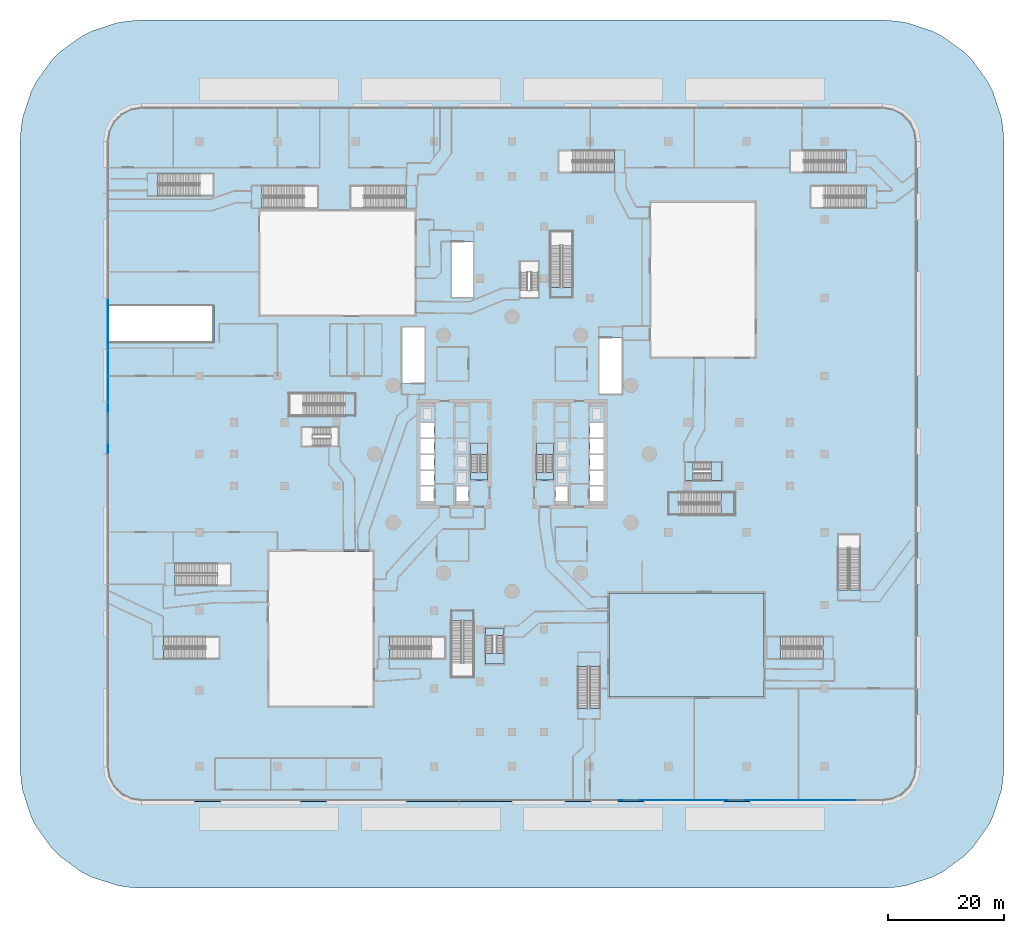
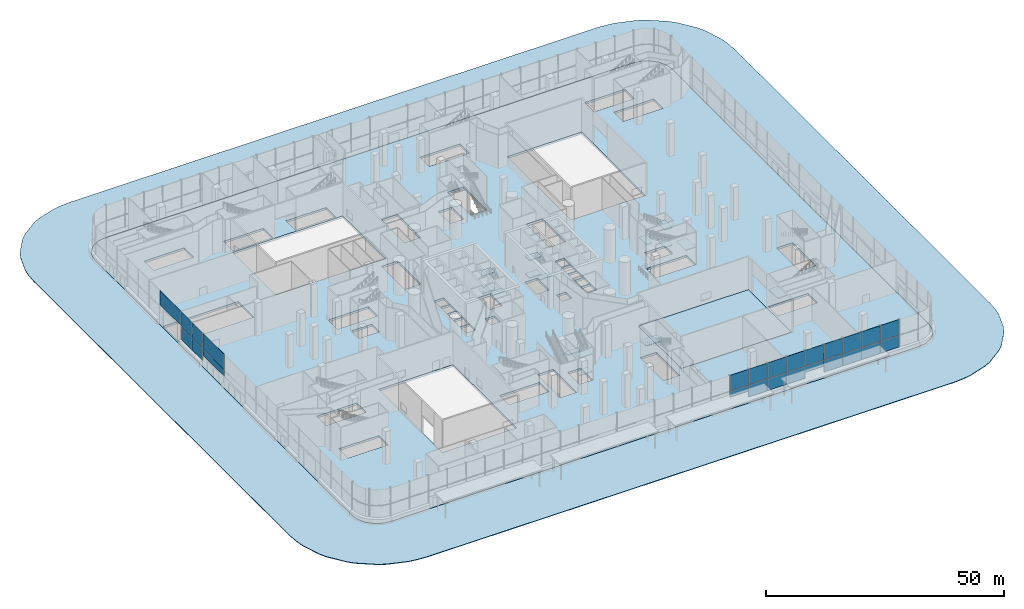
# One storey, part 17 of 54: 25 plates, 18 slabs, 9 elements without a shape of their own.
"""IFC4 building model written with IfcOpenShell, lengths in metres."""

from ifc_helpers import new_model, si_unit, direction, frame, origin, place, context, subcontext, project, spatial, polyline, outline, extrude, material, layer, layer_set, type_object, element, aggregate, save


model = new_model("IFC4")

# Units and contexts
model_context = context("Model", 3, precision=1e-05, world=origin(), true_north=direction((0.0, 1.0)))
body_context = subcontext(model_context, "Body", "Model", "MODEL_VIEW")
ifc_project = project(units=[si_unit("LENGTHUNIT", "METRE"), si_unit("AREAUNIT", "SQUARE_METRE"), si_unit("VOLUMEUNIT", "CUBIC_METRE"), si_unit("PLANEANGLEUNIT", "RADIAN"), si_unit("MASSUNIT", "GRAM", prefix="KILO")], contexts=[model_context])

# Site, building, storey
site_placement = place(None, origin())
site = spatial("IfcSite", under=ifc_project, at=site_placement, CompositionType="ELEMENT")
building_placement = place(site_placement, origin())
building = spatial("IfcBuilding", under=site, at=building_placement, Name="Tamarind Cross Interchange Tower", CompositionType="ELEMENT")
storey_placement = place(building_placement, origin())
storey = spatial("IfcBuildingStorey", under=building, at=storey_placement, Name="L00", CompositionType="ELEMENT", Elevation=0.0)

# Slabs
ifc_material_1 = material(Name="Granite paving on concrete C30", Category="masonry")
ifc_layer_1 = layer(ifc_material_1, 0.14990234375)
ifc_layer_set_1 = layer_set([ifc_layer_1], Name="Granite paving on concrete C30")
slab_type_1 = type_object("IfcSlabType", Name="Plaza paving", PredefinedType="USERDEFINED", material=ifc_layer_set_1)
slab_1_placement = place(storey_placement, frame((0.0, 0.0, -0.14990234375)))
element("IfcSlab", 1, at=slab_1_placement, inside=storey, type_object=slab_type_1, Name="SLB-L00-PAV00", ObjectType="PAVING", PredefinedType="USERDEFINED", context=body_context, shape_type="SweptSolid", body=[
    extrude(outline(polyline([(66.346435546875, -74.8154296875), (64.0, -75.0), (-64.0, -75.0), (-66.346435546875, -74.8154296875), (-68.20068359375, -74.521728515625), (-72.6640625, -73.071533203125), (-74.336669921875, -72.21923828125), (-78.13330078125, -69.460693359375), (-79.460693359375, -68.13330078125), (-82.21923828125, -64.336669921875), (-83.071533203125, -62.6640625), (-84.521728515625, -58.20068359375), (-84.8154296875, -56.346435546875), (-85.0, -54.0), (-85.0, 54.0), (-84.8154296875, 56.346435546875), (-84.521728515625, 58.20068359375), (-83.071533203125, 62.6640625), (-82.21923828125, 64.336669921875), (-79.460693359375, 68.13330078125), (-78.13330078125, 69.460693359375), (-74.336669921875, 72.21923828125), (-72.6640625, 73.071533203125), (-68.20068359375, 74.521728515625), (-66.346435546875, 74.8154296875), (-64.0, 75.0), (64.0, 75.0), (66.346435546875, 74.8154296875), (68.20068359375, 74.521728515625), (72.6640625, 73.071533203125), (74.336669921875, 72.21923828125), (78.13330078125, 69.460693359375), (79.460693359375, 68.13330078125), (82.21923828125, 64.336669921875), (83.071533203125, 62.6640625), (84.521728515625, 58.20068359375), (84.8154296875, 56.346435546875), (85.0, 54.0), (85.0, -54.0), (84.8154296875, -56.346435546875), (84.521728515625, -58.20068359375), (83.071533203125, -62.6640625), (82.21923828125, -64.336669921875), (79.460693359375, -68.13330078125), (78.13330078125, -69.460693359375), (74.336669921875, -72.21923828125), (72.6640625, -73.071533203125), (68.20068359375, -74.521728515625), (66.346435546875, -74.8154296875)]), holes=[polyline([(64.0, -60.0), (-64.0, -60.0), (-65.85400390625, -59.706298828125), (-67.526611328125, -58.85400390625), (-68.85400390625, -57.526611328125), (-69.706298828125, -55.85400390625), (-70.0, -54.0), (-70.0, 54.0), (-69.706298828125, 55.85400390625), (-68.85400390625, 57.526611328125), (-67.526611328125, 58.85400390625), (-65.85400390625, 59.706298828125), (-64.0, 60.0), (64.0, 60.0), (65.85400390625, 59.706298828125), (67.526611328125, 58.85400390625), (68.85400390625, 57.526611328125), (69.706298828125, 55.85400390625), (70.0, 54.0), (70.0, -54.0), (69.706298828125, -55.85400390625), (68.85400390625, -57.526611328125), (67.526611328125, -58.85400390625), (65.85400390625, -59.706298828125), (64.0, -60.0)])]), origin(), (0.0, 0.0, 1.0), 0.14990234375),
])
ifc_material_2 = material(Name="Concrete C40", Category="concrete")
ifc_layer_2 = layer(ifc_material_2, 0.550048828125)
ifc_layer_set_2 = layer_set([ifc_layer_2], Name="Concrete C40")
slab_type_2 = type_object("IfcSlabType", Name="Post-tensioned flat slab 550 Concrete C40", PredefinedType="FLOOR", material=ifc_layer_set_2)
slab_2_placement = place(storey_placement, frame((0.0, 0.0, -0.550048828125)))
element("IfcSlab", 2, at=slab_2_placement, inside=storey, type_object=slab_type_2, Name="Floor slab L00", PredefinedType="FLOOR", context=body_context, shape_type="SweptSolid", body=[
    extrude(outline(polyline([(-67.526611328125, -58.85400390625), (-65.85400390625, -59.706298828125), (-64.0, -60.0), (64.0, -60.0), (65.85400390625, -59.706298828125), (67.526611328125, -58.85400390625), (68.85400390625, -57.526611328125), (69.706298828125, -55.85400390625), (70.0, -54.0), (70.0, 54.0), (69.706298828125, 55.85400390625), (68.85400390625, 57.526611328125), (67.526611328125, 58.85400390625), (65.85400390625, 59.706298828125), (64.0, 60.0), (-64.0, 60.0), (-65.85400390625, 59.706298828125), (-67.526611328125, 58.85400390625), (-68.85400390625, 57.526611328125), (-69.706298828125, 55.85400390625), (-70.0, 54.0), (-70.0, -54.0), (-69.706298828125, -55.85400390625), (-68.85400390625, -57.526611328125), (-67.526611328125, -58.85400390625)]), holes=[polyline([(-6.60009765625, -38.5), (-10.5, -38.5), (-10.5, -28.81201171875), (-6.60009765625, -28.81201171875), (-6.60009765625, -38.5)]), polyline([(-50.5, -31.5), (-50.5, -35.39990234375), (-60.18798828125, -35.39990234375), (-60.18798828125, -31.5), (-50.5, -31.5)]), polyline([(-11.5, -31.5), (-11.5, -35.39990234375), (-21.18798828125, -35.39990234375), (-21.18798828125, -31.5), (-11.5, -31.5)]), polyline([(-48.5, -18.85009765625), (-48.5, -22.75), (-58.18798828125, -22.75), (-58.18798828125, -18.85009765625), (-48.5, -18.85009765625)]), polyline([(-7.5, -5.625), (-7.5, -8.125), (-9.800048828125, -8.125), (-9.800048828125, -5.625), (-7.5, -5.625)]), polyline([(-13.5, -5.625), (-13.5, -8.125), (-15.800048828125, -8.125), (-15.800048828125, -5.625), (-13.5, -5.625)]), polyline([(-13.5, -2.875), (-13.5, -5.375), (-15.800048828125, -5.375), (-15.800048828125, -2.875), (-13.5, -2.875)]), polyline([(-13.5, -2.625), (-15.800048828125, -2.625), (-15.800048828125, -0.125), (-13.5, -0.125), (-13.5, -2.625)]), polyline([(-4.199951171875, 1.800048828125), (-4.199951171875, -3.18798828125), (-7.14990234375, -3.18798828125), (-7.14990234375, 1.800048828125), (-4.199951171875, 1.800048828125)]), polyline([(-13.5, 2.625), (-13.5, 0.125), (-15.800048828125, 0.125), (-15.800048828125, 2.625), (-13.5, 2.625)]), polyline([(-31.31201171875, 4.60009765625), (-31.31201171875, 1.39990234375), (-36.300048828125, 1.39990234375), (-36.300048828125, 4.60009765625), (-31.31201171875, 4.60009765625)]), polyline([(-13.5, 5.375), (-13.5, 2.875), (-15.800048828125, 2.875), (-15.800048828125, 5.375), (-13.5, 5.375)]), polyline([(-38.5, 10.5), (-28.81201171875, 10.5), (-28.81201171875, 6.60009765625), (-38.5, 6.60009765625), (-38.5, 10.5)]), polyline([(-15.10009765625, 21.89990234375), (-15.10009765625, 12.2119140625), (-19.0, 12.2119140625), (-19.0, 21.89990234375), (-15.10009765625, 21.89990234375)]), polyline([(-69.699951171875, 25.800048828125), (-51.5, 25.800048828125), (-51.5, 19.199951171875), (-69.699951171875, 19.199951171875), (-69.699951171875, 25.800048828125)]), polyline([(-6.60009765625, 27.0), (-10.5, 27.0), (-10.5, 36.68798828125), (-6.60009765625, 36.68798828125), (-6.60009765625, 27.0)]), polyline([(-28.0, 42.5), (-28.0, 46.39990234375), (-18.31201171875, 46.39990234375), (-18.31201171875, 42.5), (-28.0, 42.5)]), polyline([(-33.5, 42.5), (-43.18798828125, 42.5), (-43.18798828125, 46.39990234375), (-33.5, 46.39990234375), (-33.5, 42.5)]), polyline([(-51.5, 44.60009765625), (-61.18798828125, 44.60009765625), (-61.18798828125, 48.5), (-51.5, 48.5), (-51.5, 44.60009765625)]), polyline([(11.35009765625, -34.25), (15.25, -34.25), (15.25, -43.93798828125), (11.35009765625, -43.93798828125), (11.35009765625, -34.25)]), polyline([(-4.60009765625, -31.31201171875), (-1.39990234375, -31.31201171875), (-1.39990234375, -36.300048828125), (-4.60009765625, -36.300048828125), (-4.60009765625, -31.31201171875)]), polyline([(44.0, -35.39990234375), (44.0, -31.5), (53.68798828125, -31.5), (53.68798828125, -35.39990234375), (44.0, -35.39990234375)]), polyline([(56.25, -13.800048828125), (60.14990234375, -13.800048828125), (60.14990234375, -23.488037109375), (56.25, -23.488037109375), (56.25, -13.800048828125)]), polyline([(38.5, -6.60009765625), (38.5, -10.5), (28.81201171875, -10.5), (28.81201171875, -6.60009765625), (38.5, -6.60009765625)]), polyline([(7.5, -8.125), (7.5, -5.625), (9.800048828125, -5.625), (9.800048828125, -8.125), (7.5, -8.125)]), polyline([(13.5, -8.125), (13.5, -5.625), (15.800048828125, -5.625), (15.800048828125, -8.125), (13.5, -8.125)]), polyline([(13.5, -2.875), (15.800048828125, -2.875), (15.800048828125, -5.375), (13.5, -5.375), (13.5, -2.875)]), polyline([(31.31201171875, -1.39990234375), (36.300048828125, -1.39990234375), (36.300048828125, -4.60009765625), (31.31201171875, -4.60009765625), (31.31201171875, -1.39990234375)]), polyline([(13.5, -2.625), (13.5, -0.125), (15.800048828125, -0.125), (15.800048828125, -2.625), (13.5, -2.625)]), polyline([(4.199951171875, 1.800048828125), (7.14990234375, 1.800048828125), (7.14990234375, -3.18798828125), (4.199951171875, -3.18798828125), (4.199951171875, 1.800048828125)]), polyline([(13.5, 0.125), (13.5, 2.625), (15.800048828125, 2.625), (15.800048828125, 0.125), (13.5, 0.125)]), polyline([(13.5, 5.375), (15.800048828125, 5.375), (15.800048828125, 2.875), (13.5, 2.875), (13.5, 5.375)]), polyline([(15.10009765625, 10.39990234375), (15.10009765625, 20.087890625), (19.0, 20.087890625), (19.0, 10.39990234375), (15.10009765625, 10.39990234375)]), polyline([(4.60009765625, 28.31201171875), (1.39990234375, 28.31201171875), (1.39990234375, 33.300048828125), (4.60009765625, 33.300048828125), (4.60009765625, 28.31201171875)]), polyline([(6.60009765625, 38.5), (10.5, 38.5), (10.5, 28.81201171875), (6.60009765625, 28.81201171875), (6.60009765625, 38.5)]), polyline([(51.5, 42.5), (51.5, 46.39990234375), (61.18798828125, 46.39990234375), (61.18798828125, 42.5), (51.5, 42.5)]), polyline([(8.0, 52.5), (17.68798828125, 52.5), (17.68798828125, 48.60009765625), (8.0, 48.60009765625), (8.0, 52.5)]), polyline([(48.0, 52.5), (57.68798828125, 52.5), (57.68798828125, 48.60009765625), (48.0, 48.60009765625), (48.0, 52.5)]), polyline([(16.800048828125, -42.0), (16.800048828125, -24.0), (43.5, -24.0), (43.5, -42.0), (16.800048828125, -42.0)]), polyline([(-42.0, -43.5), (-42.0, -16.800048828125), (-24.0, -16.800048828125), (-24.0, -43.5), (-42.0, -43.5)]), polyline([(24.0, 16.800048828125), (24.0, 43.5), (42.0, 43.5), (42.0, 16.800048828125), (24.0, 16.800048828125)]), polyline([(-43.5, 24.0), (-43.5, 42.0), (-16.800048828125, 42.0), (-16.800048828125, 24.0), (-43.5, 24.0)])]), origin(), (0.0, 0.0, 1.0), 0.550048828125),
])
slab_3_placement = place(storey_placement, frame((0.0, 0.0, -0.550048828125)))
element("IfcSlab", 3, at=slab_3_placement, inside=storey, type_object=slab_type_2, Name="Fire court SE floor slab", PredefinedType="FLOOR", context=body_context, shape_type="SweptSolid", body=[
    extrude(outline(polyline([(16.800048828125, -42.0), (43.5, -42.0), (43.5, -24.0), (16.800048828125, -24.0), (16.800048828125, -42.0)])), origin(), (0.0, 0.0, 1.0), 0.550048828125),
])

# Stair, slab
ifc_material_3 = material(Name="Public stair")
stair_type_1 = type_object("IfcStairType", Name="Public stair", PredefinedType="HALF_TURN_STAIR", material=ifc_material_3)
stair_1_placement = place(storey_placement, origin())
stair_1 = element("IfcStair", 4, at=stair_1_placement, inside=storey, type_object=stair_type_1, Name="L00 public stair PS-E", PredefinedType="HALF_TURN_STAIR")
ifc_layer_3 = layer(ifc_material_2, 0.199951171875)
ifc_layer_set_3 = layer_set([ifc_layer_3], Name="Concrete C40")
slab_type_3 = type_object("IfcSlabType", Name="Public stair landing", PredefinedType="LANDING", material=ifc_layer_set_3)
slab_4_placement = place(storey_placement, frame((0.0, 0.0, 4.300048828125)))
slab_4 = element("IfcSlab", 5, at=slab_4_placement, type_object=slab_type_3, Name="PS-E landing 1", PredefinedType="LANDING", context=body_context, shape_type="SweptSolid", body=[
    extrude(outline(polyline([(36.080078125, -10.5), (38.5, -10.5), (38.5, -6.60009765625), (36.080078125, -6.60009765625), (36.080078125, -10.5)])), origin(), (0.0, 0.0, 1.0), 0.199951171875),
])
aggregate(stair_1, [slab_4])

stair_2_placement = place(storey_placement, origin())
stair_2 = element("IfcStair", 6, at=stair_2_placement, inside=storey, type_object=stair_type_1, Name="L00 exit stair XS-P10", PredefinedType="HALF_TURN_STAIR")
slab_5_placement = place(storey_placement, frame((0.0, 0.0, 4.300048828125)))
slab_5 = element("IfcSlab", 7, at=slab_5_placement, type_object=slab_type_3, Name="XS-P10 landing 1", PredefinedType="LANDING", context=body_context, shape_type="SweptSolid", body=[
    extrude(outline(polyline([(46.419921875, -31.5), (44.0, -31.5), (44.0, -35.39990234375), (46.419921875, -35.39990234375), (46.419921875, -31.5)])), origin(), (0.0, 0.0, 1.0), 0.199951171875),
])
aggregate(stair_2, [slab_5])

stair_3_placement = place(storey_placement, origin())
stair_3 = element("IfcStair", 8, at=stair_3_placement, inside=storey, type_object=stair_type_1, Name="L00 exit stair XS-P12", PredefinedType="HALF_TURN_STAIR")
slab_6_placement = place(storey_placement, frame((0.0, 0.0, 4.300048828125)))
slab_6 = element("IfcSlab", 9, at=slab_6_placement, type_object=slab_type_3, Name="XS-P12 landing 1", PredefinedType="LANDING", context=body_context, shape_type="SweptSolid", body=[
    extrude(outline(polyline([(15.25, -36.669921875), (15.25, -34.25), (11.35009765625, -34.25), (11.35009765625, -36.669921875), (15.25, -36.669921875)])), origin(), (0.0, 0.0, 1.0), 0.199951171875),
])
aggregate(stair_3, [slab_6])

# Stair, slabs
ifc_material_4 = material(Name="Exit stair")
stair_type_2 = type_object("IfcStairType", Name="Exit stair", PredefinedType="HALF_TURN_STAIR", material=ifc_material_4)
stair_4_placement = place(storey_placement, origin())
stair_4 = element("IfcStair", 10, at=stair_4_placement, inside=storey, type_object=stair_type_2, Name="L00 exit stair ST1", PredefinedType="HALF_TURN_STAIR")
ifc_layer_4 = layer(ifc_material_2, 0.199951171875)
ifc_layer_set_4 = layer_set([ifc_layer_4], Name="Concrete C40")
slab_type_4 = type_object("IfcSlabType", Name="Stair landing", PredefinedType="LANDING", material=ifc_layer_set_4)
slab_7_placement = place(storey_placement, frame((0.0, 0.0, 2.050048828125)))
slab_7 = element("IfcSlab", 11, at=slab_7_placement, type_object=slab_type_4, Name="ST1 landing 1", PredefinedType="LANDING", context=body_context, shape_type="SweptSolid", body=[
    extrude(outline(polyline([(-4.199951171875, -0.080078125), (-4.199951171875, 1.800048828125), (-7.14990234375, 1.800048828125), (-7.14990234375, -0.080078125), (-4.199951171875, -0.080078125)])), origin(), (0.0, 0.0, 1.0), 0.199951171875),
])
slab_8_placement = place(storey_placement, frame((0.0, 0.0, 4.300048828125)))
slab_8 = element("IfcSlab", 12, at=slab_8_placement, type_object=slab_type_4, Name="ST1 landing 2", PredefinedType="LANDING", context=body_context, shape_type="SweptSolid", body=[
    extrude(outline(polyline([(-4.199951171875, -4.5), (-4.199951171875, -3.199951171875), (-7.14990234375, -3.199951171875), (-7.14990234375, -4.5), (-4.199951171875, -4.5)])), origin(), (0.0, 0.0, 1.0), 0.199951171875),
])
slab_9_placement = place(storey_placement, frame((0.0, 0.0, 6.550048828125)))
slab_9 = element("IfcSlab", 13, at=slab_9_placement, type_object=slab_type_4, Name="ST1 landing 3", PredefinedType="LANDING", context=body_context, shape_type="SweptSolid", body=[
    extrude(outline(polyline([(-4.199951171875, -0.080078125), (-4.199951171875, 1.800048828125), (-7.14990234375, 1.800048828125), (-7.14990234375, -0.080078125), (-4.199951171875, -0.080078125)])), origin(), (0.0, 0.0, 1.0), 0.199951171875),
])
aggregate(stair_4, [slab_7, slab_8, slab_9])

stair_5_placement = place(storey_placement, origin())
stair_5 = element("IfcStair", 14, at=stair_5_placement, inside=storey, type_object=stair_type_2, Name="L00 exit stair ST2", PredefinedType="HALF_TURN_STAIR")
slab_10_placement = place(storey_placement, frame((0.0, 0.0, 2.050048828125)))
slab_10 = element("IfcSlab", 15, at=slab_10_placement, type_object=slab_type_4, Name="ST2 landing 1", PredefinedType="LANDING", context=body_context, shape_type="SweptSolid", body=[
    extrude(outline(polyline([(7.14990234375, -0.080078125), (7.14990234375, 1.800048828125), (4.199951171875, 1.800048828125), (4.199951171875, -0.080078125), (7.14990234375, -0.080078125)])), origin(), (0.0, 0.0, 1.0), 0.199951171875),
])
slab_11_placement = place(storey_placement, frame((0.0, 0.0, 4.300048828125)))
slab_11 = element("IfcSlab", 16, at=slab_11_placement, type_object=slab_type_4, Name="ST2 landing 2", PredefinedType="LANDING", context=body_context, shape_type="SweptSolid", body=[
    extrude(outline(polyline([(7.14990234375, -4.5), (7.14990234375, -3.199951171875), (4.199951171875, -3.199951171875), (4.199951171875, -4.5), (7.14990234375, -4.5)])), origin(), (0.0, 0.0, 1.0), 0.199951171875),
])
slab_12_placement = place(storey_placement, frame((0.0, 0.0, 6.550048828125)))
slab_12 = element("IfcSlab", 17, at=slab_12_placement, type_object=slab_type_4, Name="ST2 landing 3", PredefinedType="LANDING", context=body_context, shape_type="SweptSolid", body=[
    extrude(outline(polyline([(7.14990234375, -0.080078125), (7.14990234375, 1.800048828125), (4.199951171875, 1.800048828125), (4.199951171875, -0.080078125), (7.14990234375, -0.080078125)])), origin(), (0.0, 0.0, 1.0), 0.199951171875),
])
aggregate(stair_5, [slab_10, slab_11, slab_12])

stair_6_placement = place(storey_placement, origin())
stair_6 = element("IfcStair", 18, at=stair_6_placement, inside=storey, type_object=stair_type_2, Name="L00 exit stair ST3", PredefinedType="HALF_TURN_STAIR")
slab_13_placement = place(storey_placement, frame((0.0, 0.0, 2.050048828125)))
slab_13 = element("IfcSlab", 19, at=slab_13_placement, type_object=slab_type_4, Name="ST3 landing 1", PredefinedType="LANDING", context=body_context, shape_type="SweptSolid", body=[
    extrude(outline(polyline([(34.407958984375, -4.60009765625), (36.300048828125, -4.60009765625), (36.300048828125, -1.39990234375), (34.407958984375, -1.39990234375), (34.407958984375, -4.60009765625)])), origin(), (0.0, 0.0, 1.0), 0.199951171875),
])
slab_14_placement = place(storey_placement, frame((0.0, 0.0, 4.300048828125)))
slab_14 = element("IfcSlab", 20, at=slab_14_placement, type_object=slab_type_4, Name="ST3 landing 2", PredefinedType="LANDING", context=body_context, shape_type="SweptSolid", body=[
    extrude(outline(polyline([(30.0, -4.60009765625), (31.31201171875, -4.60009765625), (31.31201171875, -1.39990234375), (30.0, -1.39990234375), (30.0, -4.60009765625)])), origin(), (0.0, 0.0, 1.0), 0.199951171875),
])
slab_15_placement = place(storey_placement, frame((0.0, 0.0, 6.550048828125)))
slab_15 = element("IfcSlab", 21, at=slab_15_placement, type_object=slab_type_4, Name="ST3 landing 3", PredefinedType="LANDING", context=body_context, shape_type="SweptSolid", body=[
    extrude(outline(polyline([(34.407958984375, -4.60009765625), (36.300048828125, -4.60009765625), (36.300048828125, -1.39990234375), (34.407958984375, -1.39990234375), (34.407958984375, -4.60009765625)])), origin(), (0.0, 0.0, 1.0), 0.199951171875),
])
aggregate(stair_6, [slab_13, slab_14, slab_15])

stair_7_placement = place(storey_placement, origin())
stair_7 = element("IfcStair", 22, at=stair_7_placement, inside=storey, type_object=stair_type_2, Name="L00 exit stair ST6", PredefinedType="HALF_TURN_STAIR")
slab_16_placement = place(storey_placement, frame((0.0, 0.0, 2.050048828125)))
slab_16 = element("IfcSlab", 23, at=slab_16_placement, type_object=slab_type_4, Name="ST6 landing 1", PredefinedType="LANDING", context=body_context, shape_type="SweptSolid", body=[
    extrude(outline(polyline([(-4.60009765625, -34.407958984375), (-4.60009765625, -36.300048828125), (-1.39990234375, -36.300048828125), (-1.39990234375, -34.407958984375), (-4.60009765625, -34.407958984375)])), origin(), (0.0, 0.0, 1.0), 0.199951171875),
])
slab_17_placement = place(storey_placement, frame((0.0, 0.0, 4.300048828125)))
slab_17 = element("IfcSlab", 24, at=slab_17_placement, type_object=slab_type_4, Name="ST6 landing 2", PredefinedType="LANDING", context=body_context, shape_type="SweptSolid", body=[
    extrude(outline(polyline([(-4.60009765625, -30.0), (-4.60009765625, -31.31201171875), (-1.39990234375, -31.31201171875), (-1.39990234375, -30.0), (-4.60009765625, -30.0)])), origin(), (0.0, 0.0, 1.0), 0.199951171875),
])
slab_18_placement = place(storey_placement, frame((0.0, 0.0, 6.550048828125)))
slab_18 = element("IfcSlab", 25, at=slab_18_placement, type_object=slab_type_4, Name="ST6 landing 3", PredefinedType="LANDING", context=body_context, shape_type="SweptSolid", body=[
    extrude(outline(polyline([(-4.60009765625, -34.407958984375), (-4.60009765625, -36.300048828125), (-1.39990234375, -36.300048828125), (-1.39990234375, -34.407958984375), (-4.60009765625, -34.407958984375)])), origin(), (0.0, 0.0, 1.0), 0.199951171875),
])
aggregate(stair_7, [slab_16, slab_17, slab_18])

# Curtain wall, plates
ifc_material_5 = material(Name="Aluminium 6063-T6", Category="aluminium")
ifc_layer_5 = layer(ifc_material_5, 0.199951171875)
ifc_layer_set_5 = layer_set([ifc_layer_5], Name="Aluminium 6063-T6")
curtain_wall_type = type_object("IfcCurtainWallType", Name="Podium shopfront and station curtain wall", PredefinedType="NOTDEFINED", material=ifc_layer_set_5)
curtain_wall_1_placement = place(storey_placement, origin())
curtain_wall_1 = element("IfcCurtainWall", 26, at=curtain_wall_1_placement, inside=storey, type_object=curtain_wall_type, Name="CWS-L00-04", PredefinedType="NOTDEFINED")
ifc_material_6 = material(Name="Toughened low-e glass 10+12+10", Category="glass")
ifc_layer_6 = layer(ifc_material_6, 0.031982421875)
ifc_layer_set_6 = layer_set([ifc_layer_6], Name="Toughened low-e glass 10+12+10")
plate_type = type_object("IfcPlateType", Name="Vision panel CW3", PredefinedType="CURTAIN_PANEL", material=ifc_layer_set_6)
plate_1_placement = place(storey_placement, frame((0.0, 0.0, 4.89990234375)))
plate_1 = element("IfcPlate", 27, at=plate_1_placement, type_object=plate_type, Name="CWP-L00-04-06", PredefinedType="CURTAIN_PANEL", context=body_context, shape_type="SweptSolid", body=[
    extrude(outline(polyline([(-69.783935546875, 26.9521484375), (-69.783935546875, 18.03466796875), (-69.81591796875, 18.03466796875), (-69.81591796875, 26.9521484375), (-69.783935546875, 26.9521484375)])), origin(), (0.0, 0.0, 1.0), 3.60009765625),
])
plate_2_placement = place(storey_placement, frame((0.0, 0.0, 1.39990234375)))
plate_2 = element("IfcPlate", 28, at=plate_2_placement, type_object=plate_type, Name="CWP-L00-04-08-0", PredefinedType="CURTAIN_PANEL", context=body_context, shape_type="SweptSolid", body=[
    extrude(outline(polyline([(-69.783935546875, 17.954833984375), (-69.783935546875, 13.5361328125), (-69.81591796875, 13.5361328125), (-69.81591796875, 17.954833984375), (-69.783935546875, 17.954833984375)])), origin(), (0.0, 0.0, 1.0), 3.070068359375),
])
plate_3_placement = place(storey_placement, frame((0.0, 0.0, 4.530029296875)))
plate_3 = element("IfcPlate", 29, at=plate_3_placement, type_object=plate_type, Name="CWP-L00-04-08-1", PredefinedType="CURTAIN_PANEL", context=body_context, shape_type="SweptSolid", body=[
    extrude(outline(polyline([(-69.783935546875, 17.954833984375), (-69.783935546875, 13.5361328125), (-69.81591796875, 13.5361328125), (-69.81591796875, 17.954833984375), (-69.783935546875, 17.954833984375)])), origin(), (0.0, 0.0, 1.0), 3.969970703125),
])
plate_4_placement = place(storey_placement, frame((0.0, 0.0, 1.39990234375)))
plate_4 = element("IfcPlate", 30, at=plate_4_placement, type_object=plate_type, Name="CWP-L00-04-09-0", PredefinedType="CURTAIN_PANEL", context=body_context, shape_type="SweptSolid", body=[
    extrude(outline(polyline([(-69.783935546875, 13.4560546875), (-69.783935546875, 9.037353515625), (-69.81591796875, 9.037353515625), (-69.81591796875, 13.4560546875), (-69.783935546875, 13.4560546875)])), origin(), (0.0, 0.0, 1.0), 3.070068359375),
])
plate_5_placement = place(storey_placement, frame((0.0, 0.0, 4.530029296875)))
plate_5 = element("IfcPlate", 31, at=plate_5_placement, type_object=plate_type, Name="CWP-L00-04-09-1", PredefinedType="CURTAIN_PANEL", context=body_context, shape_type="SweptSolid", body=[
    extrude(outline(polyline([(-69.783935546875, 13.4560546875), (-69.783935546875, 9.037353515625), (-69.81591796875, 9.037353515625), (-69.81591796875, 13.4560546875), (-69.783935546875, 13.4560546875)])), origin(), (0.0, 0.0, 1.0), 3.969970703125),
])
plate_6_placement = place(storey_placement, frame((0.0, 0.0, 2.89990234375)))
plate_6 = element("IfcPlate", 32, at=plate_6_placement, type_object=plate_type, Name="CWP-L00-04-10-0", PredefinedType="CURTAIN_PANEL", context=body_context, shape_type="SweptSolid", body=[
    extrude(outline(polyline([(-69.783935546875, 8.957275390625), (-69.783935546875, 0.0400390625), (-69.81591796875, 0.0400390625), (-69.81591796875, 8.957275390625), (-69.783935546875, 8.957275390625)])), origin(), (0.0, 0.0, 1.0), 1.570068359375),
])
plate_7_placement = place(storey_placement, frame((0.0, 0.0, 4.530029296875)))
plate_7 = element("IfcPlate", 33, at=plate_7_placement, type_object=plate_type, Name="CWP-L00-04-10-1", PredefinedType="CURTAIN_PANEL", context=body_context, shape_type="SweptSolid", body=[
    extrude(outline(polyline([(-69.783935546875, 8.957275390625), (-69.783935546875, 0.0400390625), (-69.81591796875, 0.0400390625), (-69.81591796875, 8.957275390625), (-69.783935546875, 8.957275390625)])), origin(), (0.0, 0.0, 1.0), 3.969970703125),
])
aggregate(curtain_wall_1, [plate_1, plate_2, plate_3, plate_4, plate_5, plate_6, plate_7])

curtain_wall_2_placement = place(storey_placement, origin())
curtain_wall_2 = element("IfcCurtainWall", 34, at=curtain_wall_2_placement, inside=storey, type_object=curtain_wall_type, Name="CWS-L00-06", PredefinedType="NOTDEFINED")
plate_8_placement = place(storey_placement, frame((0.0, 0.0, 2.89990234375)))
plate_8 = element("IfcPlate", 35, at=plate_8_placement, type_object=plate_type, Name="CWP-L00-06-18-0", PredefinedType="CURTAIN_PANEL", context=body_context, shape_type="SweptSolid", body=[
    extrude(outline(polyline([(18.3212890625, -59.783935546875), (22.8115234375, -59.783935546875), (22.8115234375, -59.81591796875), (18.3212890625, -59.81591796875), (18.3212890625, -59.783935546875)])), origin(), (0.0, 0.0, 1.0), 1.570068359375),
])
plate_9_placement = place(storey_placement, frame((0.0, 0.0, 4.530029296875)))
plate_9 = element("IfcPlate", 36, at=plate_9_placement, type_object=plate_type, Name="CWP-L00-06-18-1", PredefinedType="CURTAIN_PANEL", context=body_context, shape_type="SweptSolid", body=[
    extrude(outline(polyline([(18.3212890625, -59.783935546875), (22.8115234375, -59.783935546875), (22.8115234375, -59.81591796875), (18.3212890625, -59.81591796875), (18.3212890625, -59.783935546875)])), origin(), (0.0, 0.0, 1.0), 3.969970703125),
])
plate_10_placement = place(storey_placement, frame((0.0, 0.0, 1.39990234375)))
plate_10 = element("IfcPlate", 37, at=plate_10_placement, type_object=plate_type, Name="CWP-L00-06-19-0", PredefinedType="CURTAIN_PANEL", context=body_context, shape_type="SweptSolid", body=[
    extrude(outline(polyline([(22.8916015625, -59.783935546875), (27.3818359375, -59.783935546875), (27.3818359375, -59.81591796875), (22.8916015625, -59.81591796875), (22.8916015625, -59.783935546875)])), origin(), (0.0, 0.0, 1.0), 3.070068359375),
])
plate_11_placement = place(storey_placement, frame((0.0, 0.0, 4.530029296875)))
plate_11 = element("IfcPlate", 38, at=plate_11_placement, type_object=plate_type, Name="CWP-L00-06-19-1", PredefinedType="CURTAIN_PANEL", context=body_context, shape_type="SweptSolid", body=[
    extrude(outline(polyline([(22.8916015625, -59.783935546875), (27.3818359375, -59.783935546875), (27.3818359375, -59.81591796875), (22.8916015625, -59.81591796875), (22.8916015625, -59.783935546875)])), origin(), (0.0, 0.0, 1.0), 3.969970703125),
])
plate_12_placement = place(storey_placement, frame((0.0, 0.0, 1.39990234375)))
plate_12 = element("IfcPlate", 39, at=plate_12_placement, type_object=plate_type, Name="CWP-L00-06-20-0", PredefinedType="CURTAIN_PANEL", context=body_context, shape_type="SweptSolid", body=[
    extrude(outline(polyline([(27.4619140625, -59.783935546875), (31.9521484375, -59.783935546875), (31.9521484375, -59.81591796875), (27.4619140625, -59.81591796875), (27.4619140625, -59.783935546875)])), origin(), (0.0, 0.0, 1.0), 3.070068359375),
])
plate_13_placement = place(storey_placement, frame((0.0, 0.0, 4.530029296875)))
plate_13 = element("IfcPlate", 40, at=plate_13_placement, type_object=plate_type, Name="CWP-L00-06-20-1", PredefinedType="CURTAIN_PANEL", context=body_context, shape_type="SweptSolid", body=[
    extrude(outline(polyline([(27.4619140625, -59.783935546875), (31.9521484375, -59.783935546875), (31.9521484375, -59.81591796875), (27.4619140625, -59.81591796875), (27.4619140625, -59.783935546875)])), origin(), (0.0, 0.0, 1.0), 3.969970703125),
])
plate_14_placement = place(storey_placement, frame((0.0, 0.0, 1.39990234375)))
plate_14 = element("IfcPlate", 41, at=plate_14_placement, type_object=plate_type, Name="CWP-L00-06-21-0", PredefinedType="CURTAIN_PANEL", context=body_context, shape_type="SweptSolid", body=[
    extrude(outline(polyline([(32.0322265625, -59.783935546875), (36.5224609375, -59.783935546875), (36.5224609375, -59.81591796875), (32.0322265625, -59.81591796875), (32.0322265625, -59.783935546875)])), origin(), (0.0, 0.0, 1.0), 3.070068359375),
])
plate_15_placement = place(storey_placement, frame((0.0, 0.0, 4.530029296875)))
plate_15 = element("IfcPlate", 42, at=plate_15_placement, type_object=plate_type, Name="CWP-L00-06-21-1", PredefinedType="CURTAIN_PANEL", context=body_context, shape_type="SweptSolid", body=[
    extrude(outline(polyline([(32.0322265625, -59.783935546875), (36.5224609375, -59.783935546875), (36.5224609375, -59.81591796875), (32.0322265625, -59.81591796875), (32.0322265625, -59.783935546875)])), origin(), (0.0, 0.0, 1.0), 3.969970703125),
])
plate_16_placement = place(storey_placement, frame((0.0, 0.0, 2.89990234375)))
plate_16 = element("IfcPlate", 43, at=plate_16_placement, type_object=plate_type, Name="CWP-L00-06-22-0", PredefinedType="CURTAIN_PANEL", context=body_context, shape_type="SweptSolid", body=[
    extrude(outline(polyline([(36.6025390625, -59.783935546875), (41.0927734375, -59.783935546875), (41.0927734375, -59.81591796875), (36.6025390625, -59.81591796875), (36.6025390625, -59.783935546875)])), origin(), (0.0, 0.0, 1.0), 1.570068359375),
])
plate_17_placement = place(storey_placement, frame((0.0, 0.0, 4.530029296875)))
plate_17 = element("IfcPlate", 44, at=plate_17_placement, type_object=plate_type, Name="CWP-L00-06-22-1", PredefinedType="CURTAIN_PANEL", context=body_context, shape_type="SweptSolid", body=[
    extrude(outline(polyline([(36.6025390625, -59.783935546875), (41.0927734375, -59.783935546875), (41.0927734375, -59.81591796875), (36.6025390625, -59.81591796875), (36.6025390625, -59.783935546875)])), origin(), (0.0, 0.0, 1.0), 3.969970703125),
])
plate_18_placement = place(storey_placement, frame((0.0, 0.0, 1.39990234375)))
plate_18 = element("IfcPlate", 45, at=plate_18_placement, type_object=plate_type, Name="CWP-L00-06-23-0", PredefinedType="CURTAIN_PANEL", context=body_context, shape_type="SweptSolid", body=[
    extrude(outline(polyline([(41.1728515625, -59.783935546875), (45.6630859375, -59.783935546875), (45.6630859375, -59.81591796875), (41.1728515625, -59.81591796875), (41.1728515625, -59.783935546875)])), origin(), (0.0, 0.0, 1.0), 3.070068359375),
])
plate_19_placement = place(storey_placement, frame((0.0, 0.0, 4.530029296875)))
plate_19 = element("IfcPlate", 46, at=plate_19_placement, type_object=plate_type, Name="CWP-L00-06-23-1", PredefinedType="CURTAIN_PANEL", context=body_context, shape_type="SweptSolid", body=[
    extrude(outline(polyline([(41.1728515625, -59.783935546875), (45.6630859375, -59.783935546875), (45.6630859375, -59.81591796875), (41.1728515625, -59.81591796875), (41.1728515625, -59.783935546875)])), origin(), (0.0, 0.0, 1.0), 3.969970703125),
])
plate_20_placement = place(storey_placement, frame((0.0, 0.0, 1.39990234375)))
plate_20 = element("IfcPlate", 47, at=plate_20_placement, type_object=plate_type, Name="CWP-L00-06-24-0", PredefinedType="CURTAIN_PANEL", context=body_context, shape_type="SweptSolid", body=[
    extrude(outline(polyline([(45.7431640625, -59.783935546875), (50.2333984375, -59.783935546875), (50.2333984375, -59.81591796875), (45.7431640625, -59.81591796875), (45.7431640625, -59.783935546875)])), origin(), (0.0, 0.0, 1.0), 3.070068359375),
])
plate_21_placement = place(storey_placement, frame((0.0, 0.0, 4.530029296875)))
plate_21 = element("IfcPlate", 48, at=plate_21_placement, type_object=plate_type, Name="CWP-L00-06-24-1", PredefinedType="CURTAIN_PANEL", context=body_context, shape_type="SweptSolid", body=[
    extrude(outline(polyline([(45.7431640625, -59.783935546875), (50.2333984375, -59.783935546875), (50.2333984375, -59.81591796875), (45.7431640625, -59.81591796875), (45.7431640625, -59.783935546875)])), origin(), (0.0, 0.0, 1.0), 3.969970703125),
])
plate_22_placement = place(storey_placement, frame((0.0, 0.0, 1.39990234375)))
plate_22 = element("IfcPlate", 49, at=plate_22_placement, type_object=plate_type, Name="CWP-L00-06-25-0", PredefinedType="CURTAIN_PANEL", context=body_context, shape_type="SweptSolid", body=[
    extrude(outline(polyline([(50.313232421875, -59.783935546875), (54.8037109375, -59.783935546875), (54.8037109375, -59.81591796875), (50.313232421875, -59.81591796875), (50.313232421875, -59.783935546875)])), origin(), (0.0, 0.0, 1.0), 3.070068359375),
])
plate_23_placement = place(storey_placement, frame((0.0, 0.0, 4.530029296875)))
plate_23 = element("IfcPlate", 50, at=plate_23_placement, type_object=plate_type, Name="CWP-L00-06-25-1", PredefinedType="CURTAIN_PANEL", context=body_context, shape_type="SweptSolid", body=[
    extrude(outline(polyline([(50.313232421875, -59.783935546875), (54.8037109375, -59.783935546875), (54.8037109375, -59.81591796875), (50.313232421875, -59.81591796875), (50.313232421875, -59.783935546875)])), origin(), (0.0, 0.0, 1.0), 3.969970703125),
])
plate_24_placement = place(storey_placement, frame((0.0, 0.0, 1.39990234375)))
plate_24 = element("IfcPlate", 51, at=plate_24_placement, type_object=plate_type, Name="CWP-L00-06-26-0", PredefinedType="CURTAIN_PANEL", context=body_context, shape_type="SweptSolid", body=[
    extrude(outline(polyline([(54.883544921875, -59.783935546875), (59.3740234375, -59.783935546875), (59.3740234375, -59.81591796875), (54.883544921875, -59.81591796875), (54.883544921875, -59.783935546875)])), origin(), (0.0, 0.0, 1.0), 3.070068359375),
])
plate_25_placement = place(storey_placement, frame((0.0, 0.0, 4.530029296875)))
plate_25 = element("IfcPlate", 52, at=plate_25_placement, type_object=plate_type, Name="CWP-L00-06-26-1", PredefinedType="CURTAIN_PANEL", context=body_context, shape_type="SweptSolid", body=[
    extrude(outline(polyline([(54.883544921875, -59.783935546875), (59.3740234375, -59.783935546875), (59.3740234375, -59.81591796875), (54.883544921875, -59.81591796875), (54.883544921875, -59.783935546875)])), origin(), (0.0, 0.0, 1.0), 3.969970703125),
])
aggregate(curtain_wall_2, [plate_8, plate_9, plate_10, plate_11, plate_12, plate_13, plate_14, plate_15, plate_16, plate_17, plate_18, plate_19, plate_20, plate_21, plate_22, plate_23, plate_24, plate_25])

save(model, "model.ifc")
